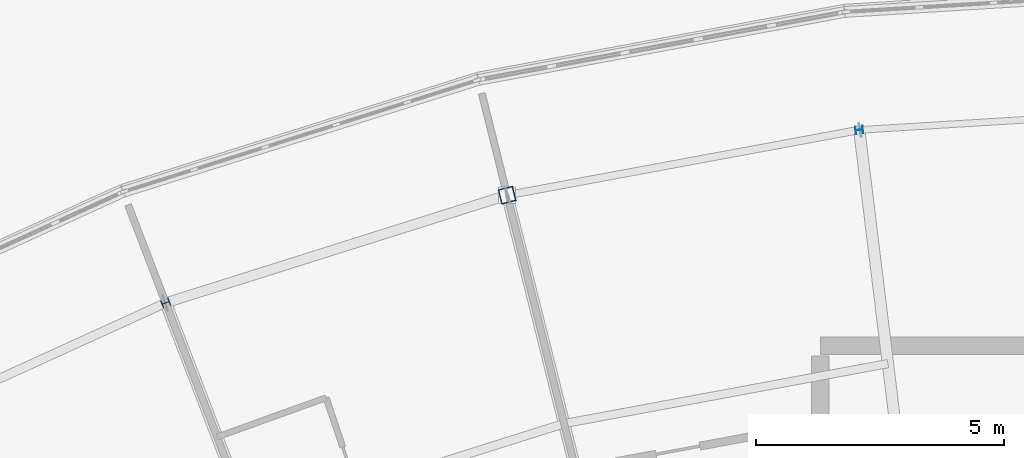
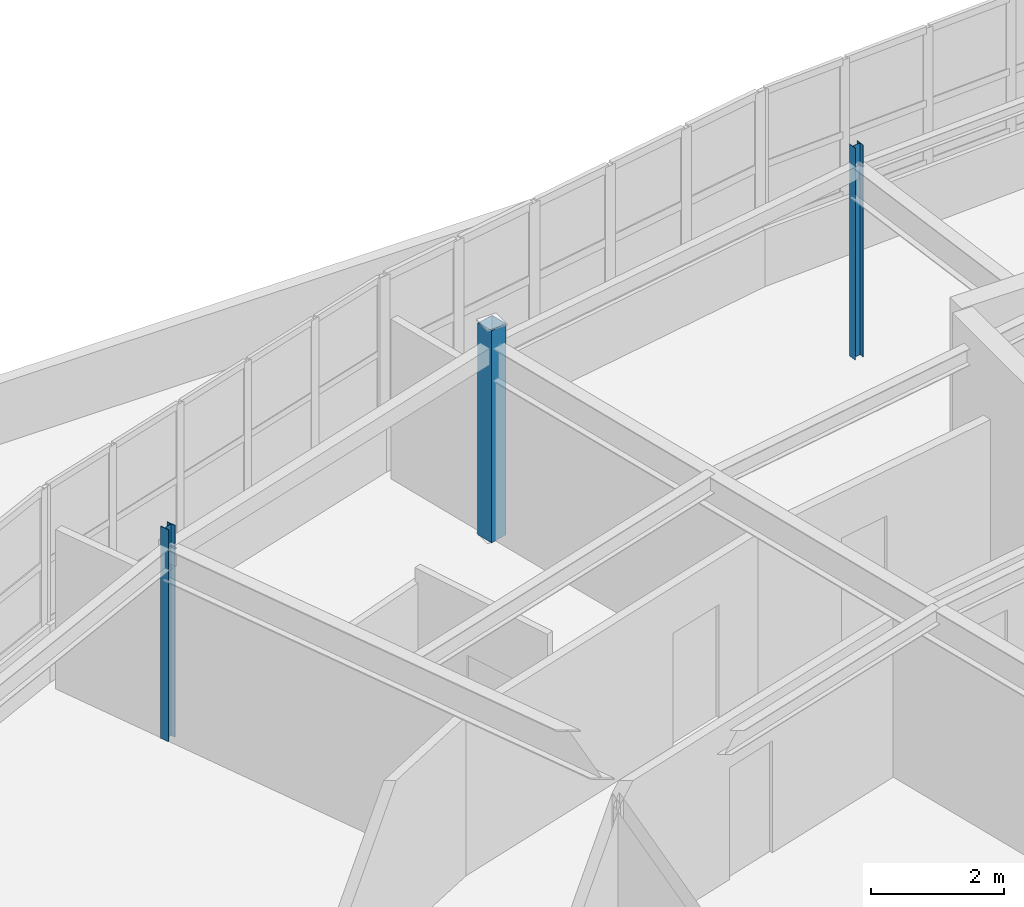
# One storey, part 11 of 128: 3 columns.
"""IFC4 building model written with IfcOpenShell, lengths in metres."""

from ifc_helpers import new_model, si_unit, direction, frame, origin, origin_2d, place, context, subcontext, project, spatial, hollow_rectangle, i_section, extrude, material, material_profile, profile_set, type_object, element, save


model = new_model("IFC4")

# Units and contexts
model_context = context("Model", 3, precision=1e-05, world=origin(), true_north=direction((0.0, 1.0)))
body_context = subcontext(model_context, "Body", "Model", "MODEL_VIEW")
ifc_project = project(units=[si_unit("LENGTHUNIT", "METRE"), si_unit("AREAUNIT", "SQUARE_METRE"), si_unit("VOLUMEUNIT", "CUBIC_METRE"), si_unit("PLANEANGLEUNIT", "RADIAN"), si_unit("MASSUNIT", "GRAM", prefix="KILO")], contexts=[model_context])

# Site, building, storey
site_placement = place(None, origin())
site = spatial("IfcSite", under=ifc_project, at=site_placement, CompositionType="ELEMENT")
building_placement = place(site_placement, origin())
building = spatial("IfcBuilding", under=site, at=building_placement, Name="Tarnwether General Hospital", CompositionType="ELEMENT")
storey_placement = place(building_placement, frame((0.0, 0.0, 14.39990234375)))
storey = spatial("IfcBuildingStorey", under=building, at=storey_placement, Name="L03", CompositionType="ELEMENT", Elevation=14.39990234375)

# Columns
ifc_material_1 = material(Name="Steel Grade 350 (350 MPa)", Category="steel")
ifc_material_profile_1 = material_profile(ifc_material_1, i_section(OverallWidth=0.154052734375, OverallDepth=0.162109375, WebThickness=0.008056640625, FlangeThickness=0.011474609375, at=origin_2d()), Name="150UC37.2")
ifc_profile_set_1 = profile_set([ifc_material_profile_1], Name="Steel Grade 350 (350 MPa)")
column_type_1 = type_object("IfcColumnType", Name="COL-28", PredefinedType="COLUMN", material=ifc_profile_set_1)
column_1_placement = place(storey_placement, frame((70.784912109375, 118.26806640625, 0.0), z_axis=(0.0, 0.0, 1.0), x_axis=(-0.358367949545, 0.933580426497, 0.0)))
element("IfcColumn", 1, at=column_1_placement, inside=storey, type_object=column_type_1, Name="Column COLG-L03-7078_11827", PredefinedType="COLUMN", context=body_context, shape_type="SweptSolid", body=[
    extrude(i_section(OverallWidth=0.154052734375, OverallDepth=0.162109375, WebThickness=0.008056640625, FlangeThickness=0.011474609375, at=origin_2d()), origin(), (0.0, 0.0, 1.0), 3.900146484375),
])
ifc_material_2 = material(Name="Steel Grade C350L0 (350 MPa)", Category="steel")
ifc_material_profile_2 = material_profile(ifc_material_2, hollow_rectangle(XDim=0.300048828125, YDim=0.300048828125, WallThickness=0.012451171875, at=origin_2d()), Name="SHS300x300x12.5")
ifc_profile_set_2 = profile_set([ifc_material_profile_2], Name="Steel Grade C350L0 (350 MPa)")
column_type_2 = type_object("IfcColumnType", Name="COL-30", PredefinedType="COLUMN", material=ifc_profile_set_2)
column_2_placement = place(storey_placement, frame((77.677978515625, 120.44189453125, 0.0), z_axis=(0.0, 0.0, 1.0), x_axis=(-0.2419218956, 0.970295726276, 0.0)))
element("IfcColumn", 2, at=column_2_placement, inside=storey, type_object=column_type_2, Name="Column COLG-L03-7768_12044", PredefinedType="COLUMN", context=body_context, shape_type="SweptSolid", body=[
    extrude(hollow_rectangle(XDim=0.300048828125, YDim=0.300048828125, WallThickness=0.012451171875, at=origin_2d()), origin(), (0.0, 0.0, 1.0), 3.900146484375),
])
ifc_material_3 = material(Name="Steel Grade 350 (350 MPa)", Category="steel")
ifc_material_profile_3 = material_profile(ifc_material_3, i_section(OverallWidth=0.152099609375, OverallDepth=0.152099609375, WebThickness=0.006103515625, FlangeThickness=0.0068359375, at=origin_2d()), Name="150UC23.4")
ifc_profile_set_3 = profile_set([ifc_material_profile_3], Name="Steel Grade 350 (350 MPa)")
column_type_3 = type_object("IfcColumnType", Name="COL-32", PredefinedType="COLUMN", material=ifc_profile_set_3)
column_3_placement = place(storey_placement, frame((84.784912109375, 121.759033203125, 0.0), z_axis=(0.0, 0.0, 1.0), x_axis=(-0.121869343405, 0.992546151641, 0.0)))
element("IfcColumn", 3, at=column_3_placement, inside=storey, type_object=column_type_3, Name="Column COLG-L03-8478_12176", PredefinedType="COLUMN", context=body_context, shape_type="SweptSolid", body=[
    extrude(i_section(OverallWidth=0.152099609375, OverallDepth=0.152099609375, WebThickness=0.006103515625, FlangeThickness=0.0068359375, at=origin_2d()), origin(), (0.0, 0.0, 1.0), 3.900146484375),
])

save(model, "model.ifc")
